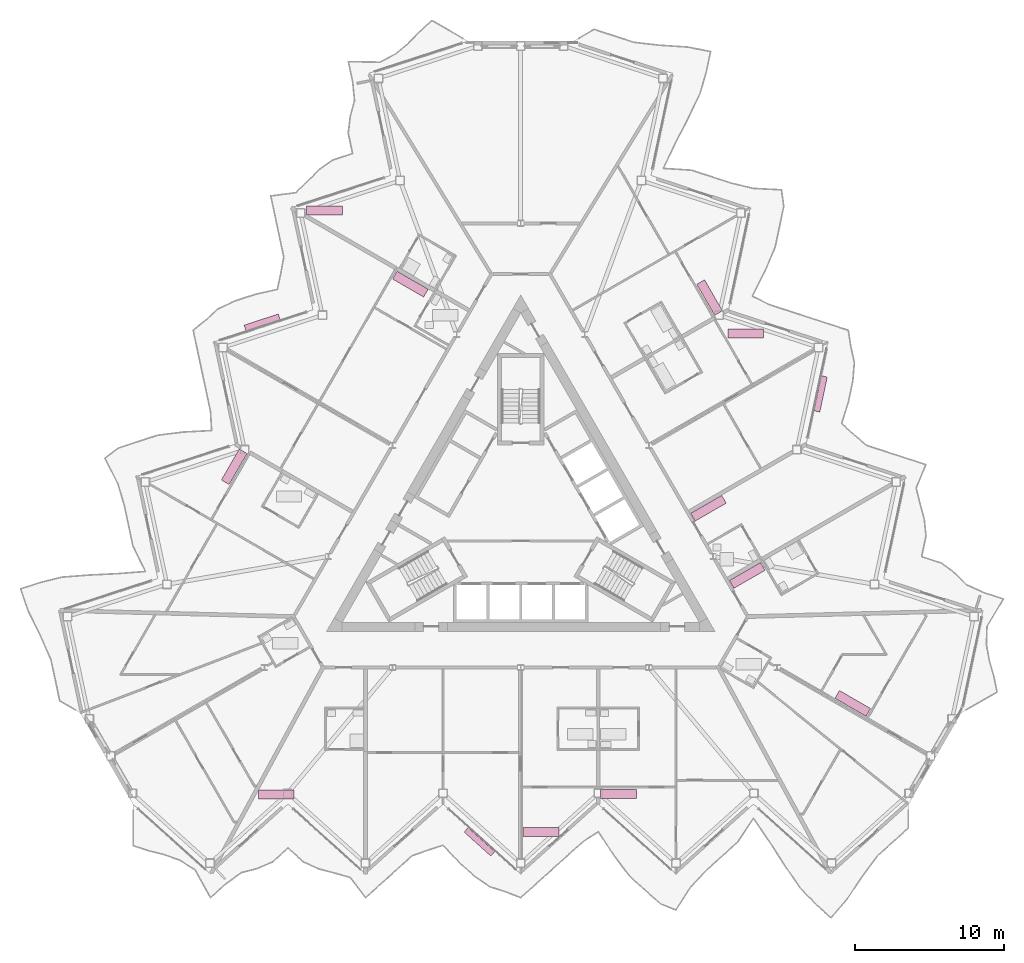
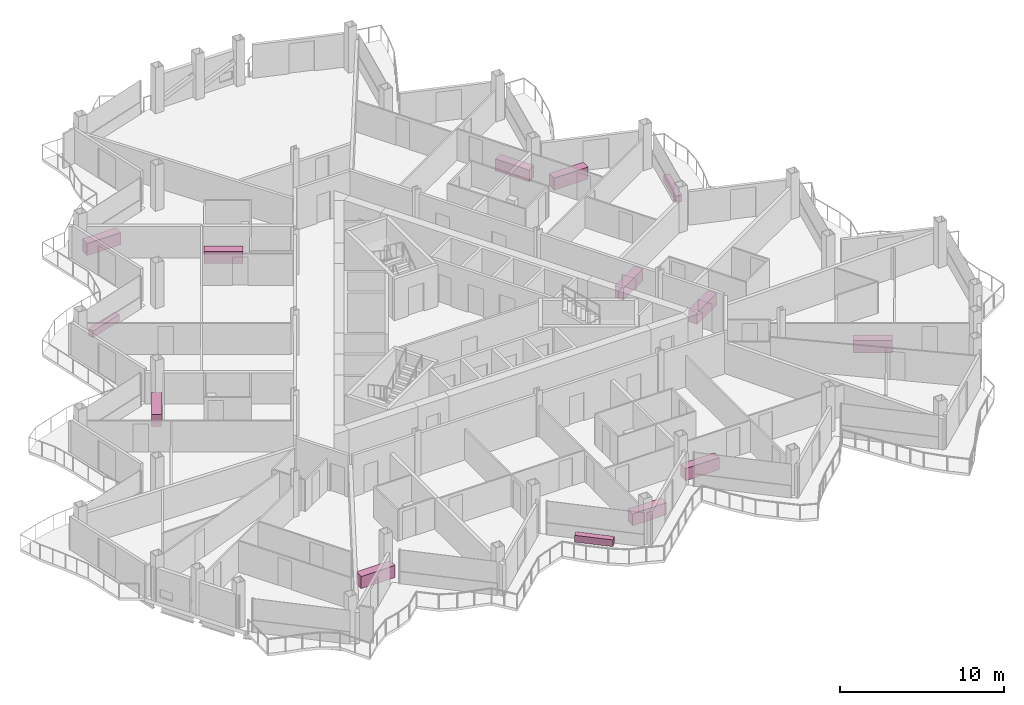
# One storey, part 28 of 28: 14 furniture elements.
"""IFC4 building model written with IfcOpenShell, lengths in metres."""

from ifc_helpers import new_model, si_unit, direction, frame, origin, origin_2d, place, context, subcontext, project, spatial, rectangle, extrude, material, type_object, element, save


model = new_model("IFC4")

# Units and contexts
model_context = context("Model", 3, precision=1e-05, world=origin(), true_north=direction((0.0, 1.0)))
body_context = subcontext(model_context, "Body", "Model", "MODEL_VIEW")
ifc_project = project(units=[si_unit("LENGTHUNIT", "METRE"), si_unit("AREAUNIT", "SQUARE_METRE"), si_unit("VOLUMEUNIT", "CUBIC_METRE"), si_unit("PLANEANGLEUNIT", "RADIAN"), si_unit("MASSUNIT", "GRAM", prefix="KILO")], contexts=[model_context])

# Site, building, storey
site_placement = place(None, origin())
site = spatial("IfcSite", under=ifc_project, at=site_placement, CompositionType="ELEMENT")
building_placement = place(site_placement, origin())
building = spatial("IfcBuilding", under=site, at=building_placement, Name="Cormorant Prow Tower", CompositionType="ELEMENT")
storey_placement = place(building_placement, frame((0.0, 0.0, 305.199951171875)))
storey = spatial("IfcBuildingStorey", under=building, at=storey_placement, Name="L66", CompositionType="ELEMENT", Elevation=305.199951171875)

# Furniture
ifc_material_1 = material(Name="Terracotta", Category="masonry")
furniture_type_1 = type_object("IfcFurnitureType", Name="Balcony planter 2400x400x500", AssemblyPlace="NOTDEFINED", PredefinedType="USERDEFINED", material=ifc_material_1)
for number, where, z_axis, x_axis, name in (
    (1, (-2.7626953125, -21.57763671875, 0.0), (0.0, 0.0, 1.0), (0.743144844712, -0.669130584997, 0.0), "Balcony planter S04"),
    (2, (20.068115234375, 8.396240234375, 0.0), (0.0, 0.0, 1.0), (0.207911691808, 0.978147600523, 0.0), "Balcony planter ENE04"),
    (3, (-17.305419921875, 13.181396484375, 0.0), (0.0, 0.0, 1.0), (-0.951056501528, -0.309017039823, 0.0), "Balcony planter WNW04"),
):
    element("IfcFurniture", number, at=place(storey_placement, frame(where, z_axis=z_axis, x_axis=x_axis)), inside=storey, type_object=furniture_type_1, Name=name, ObjectType="PLANTER", PredefinedType="USERDEFINED", context=body_context, shape_type="SweptSolid", body=[
        extrude(rectangle(XDim=2.39990234375, YDim=0.39990234375, at=origin_2d()), origin(), (0.0, 0.0, 1.0), 0.5),
    ])
ifc_material_2 = material(Name="Timber joinery", Category="wood")
furniture_type_2 = type_object("IfcFurnitureType", Name="Kitchen counter 2400x600", AssemblyPlace="NOTDEFINED", PredefinedType="NOTDEFINED", material=ifc_material_2)
for number, where, z_axis, x_axis, name in (
    (4, (-16.36328125, -18.41552734375, 0.0), (0.0, 0.0, 1.0), (1.0, 0.0, 0.0), "Kitchen counter"),
    (5, (1.344970703125, -20.91552734375, 0.0), (0.0, 0.0, 1.0), (1.0, 0.0, 0.0), "Kitchen counter"),
    (6, (6.535888671875, -18.369384765625, 0.0), (0.0, 0.0, 1.0), (1.0, 0.0, 0.0), "Kitchen counter"),
    (7, (22.215576171875, -12.312255859375, 0.0), (0.0, 0.0, 1.0), (-0.866025403784, 0.5, 0.0), "Kitchen counter"),
    (8, (15.15673828125, -3.751220703125, 0.0), (0.0, 0.0, 1.0), (0.866025403784, 0.5, 0.0), "Kitchen counter"),
    (9, (12.561279296875, 0.744384765625, 0.0), (0.0, 0.0, 1.0), (0.866025403784, 0.5, 0.0), "Kitchen counter"),
    (10, (15.05712890625, 12.44189453125, 0.0), (0.0, 0.0, 1.0), (1.0, 0.0, 0.0), "Kitchen counter"),
    (11, (12.640380859375, 14.844970703125, 0.0), (0.0, 0.0, 1.0), (-0.5, 0.866025403784, 0.0), "Kitchen counter"),
    (12, (-13.126708984375, 20.673583984375, 0.0), (0.0, 0.0, 1.0), (1.0, 0.0, 0.0), "Kitchen counter"),
    (13, (-7.3876953125, 15.739501953125, 0.0), (0.0, 0.0, 1.0), (0.866025403784, -0.5, 0.0), "Kitchen counter"),
    (14, (-19.17626953125, 3.5244140625, 0.0), (0.0, 0.0, 1.0), (-0.5, -0.866025403784, 0.0), "Kitchen counter"),
):
    element("IfcFurniture", number, at=place(storey_placement, frame(where, z_axis=z_axis, x_axis=x_axis)), inside=storey, type_object=furniture_type_2, Name=name, PredefinedType="NOTDEFINED", context=body_context, shape_type="SweptSolid", body=[
        extrude(rectangle(XDim=2.39990234375, YDim=0.60009765625, at=origin_2d()), origin(), (0.0, 0.0, 1.0), 0.89990234375),
    ])

save(model, "model.ifc")
